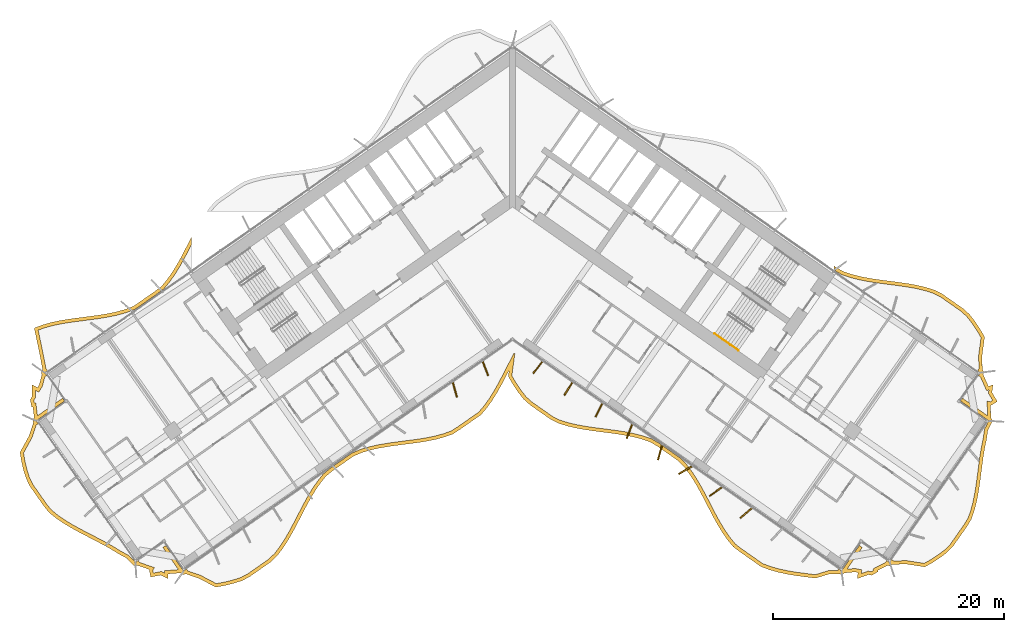
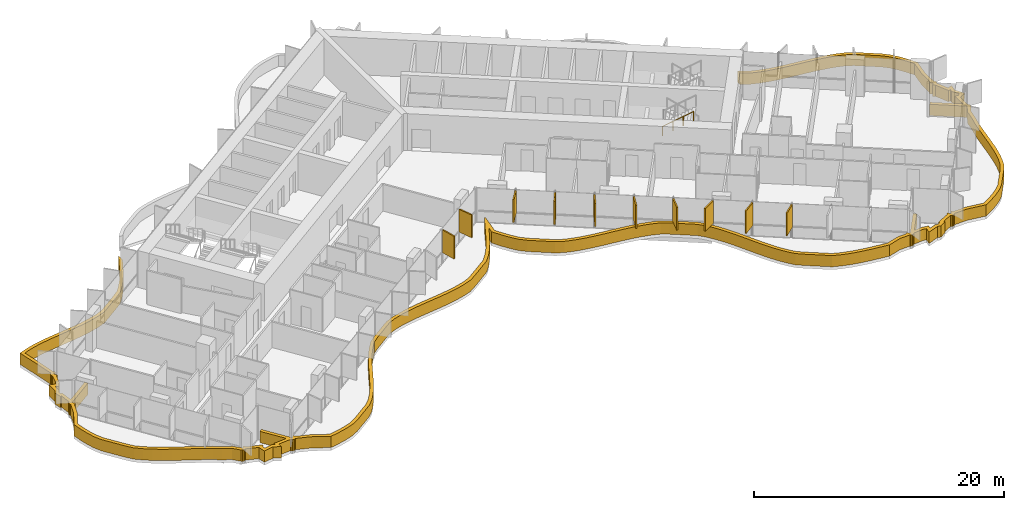
# One storey, part 20 of 23: 11 shading devices, 1 railing.
"""IFC4 building model written with IfcOpenShell, lengths in metres."""

from ifc_helpers import new_model, si_unit, direction, frame, origin, origin_2d, place, context, subcontext, project, spatial, polyline, rectangle, circle, outline, extrude, material, layer, layer_set, type_object, element, save


model = new_model("IFC4")

# Units and contexts
model_context = context("Model", 3, precision=1e-05, world=origin(), true_north=direction((0.0, 1.0)))
body_context = subcontext(model_context, "Body", "Model", "MODEL_VIEW")
ifc_project = project(units=[si_unit("LENGTHUNIT", "METRE"), si_unit("AREAUNIT", "SQUARE_METRE"), si_unit("VOLUMEUNIT", "CUBIC_METRE"), si_unit("PLANEANGLEUNIT", "RADIAN"), si_unit("MASSUNIT", "GRAM", prefix="KILO")], contexts=[model_context])

# Site, building, storey
site_placement = place(None, origin())
site = spatial("IfcSite", under=ifc_project, at=site_placement, CompositionType="ELEMENT")
building_placement = place(site_placement, origin())
building = spatial("IfcBuilding", under=site, at=building_placement, Name="Tel Ilan Convention Tower", CompositionType="ELEMENT")
storey_placement = place(building_placement, frame((0.0, 0.0, 101.300048828125)))
storey = spatial("IfcBuildingStorey", under=building, at=storey_placement, Name="L21", CompositionType="ELEMENT", Elevation=101.300048828125)

# Shading devices
ifc_material_1 = material(Name="Aluminium, bronze anodised", Category="aluminium")
ifc_layer_1 = layer(ifc_material_1, 0.1201171875)
ifc_layer_set_1 = layer_set([ifc_layer_1], Name="FIN BRONZE 1300x120")
shading_device_type_1 = type_object("IfcShadingDeviceType", Name="FIN BRONZE 1300x120", PredefinedType="USERDEFINED", material=ifc_layer_set_1)
for number, where, z_axis, x_axis, name in (
    (1, (-5.004638671875, -17.094482421875, 1.10009765625), (0.0, 0.0, 1.0), (0.268172612768, -0.963370878614, 0.0), "FIN"),
    (2, (-2.35302734375, -15.2529296875, 1.10009765625), (0.0, 0.0, 1.0), (0.360177724803, -0.932883704733, 0.0), "FIN"),
    (3, (2.195556640625, -15.15087890625, 1.10009765625), (0.0, 0.0, 1.0), (-0.612600545196, -0.790392669516, 0.0), "FIN"),
    (4, (4.842041015625, -17.004150390625, 1.10009765625), (0.0, 0.0, 1.0), (-0.533204432798, -0.845986425922, 0.0), "FIN"),
    (5, (7.48876953125, -18.85693359375, 1.10009765625), (0.0, 0.0, 1.0), (-0.448799180206, -0.893632640321, 0.0), "FIN"),
    (6, (10.13818359375, -20.7041015625, 1.10009765625), (0.0, 0.0, 1.0), (-0.360177724803, -0.932883704733, 0.0), "FIN"),
    (7, (12.789794921875, -22.545654296875, 1.10009765625), (0.0, 0.0, 1.0), (-0.268172612768, -0.963370878614, 0.0), "FIN"),
    (8, (14.9931640625, -24.06591796875, 1.10009765625), (0.0, 0.0, 1.0), (-0.866025403784, -0.5, 0.0), "FIN"),
    (9, (17.62548828125, -25.931640625, 1.10009765625), (0.0, 0.0, 1.0), (-0.813552070258, -0.581492071294, 0.0), "FIN"),
    (10, (20.2626953125, -27.79345703125, 1.10009765625), (0.0, 0.0, 1.0), (-0.753435896329, -0.657521368568, 0.0), "FIN"),
):
    element("IfcShadingDevice", number, at=place(storey_placement, frame(where, z_axis=z_axis, x_axis=x_axis)), inside=storey, type_object=shading_device_type_1, Name=name, ObjectType="FIN", PredefinedType="USERDEFINED", context=body_context, shape_type="SweptSolid", body=[
        extrude(rectangle(XDim=1.300048828125, YDim=0.1201171875, at=origin_2d()), origin(), (0.0, 0.0, 1.0), 2.219970703125),
    ])
ifc_material_2 = material(Name="Aluminium, bronze anodised", Category="aluminium")
ifc_layer_2 = layer(ifc_material_2, 0.300048828125)
ifc_layer_set_2 = layer_set([ifc_layer_2], Name="LOUVRE BAND 300x1100")
shading_device_type_2 = type_object("IfcShadingDeviceType", Name="LOUVRE BAND 300x1100", PredefinedType="USERDEFINED", material=ifc_layer_set_2)
shading_device_placement = place(storey_placement, origin())
element("IfcShadingDevice", 11, at=shading_device_placement, inside=storey, type_object=shading_device_type_2, Name="LOUVRE BAND 19.01", ObjectType="LOUVRE", PredefinedType="USERDEFINED", context=body_context, shape_type="SweptSolid", body=[
    extrude(outline(polyline([(-41.95263671875, -21.091796875), (-42.734619140625, -22.51123046875), (-42.607421875, -23.294189453125), (-42.430908203125, -24.04248046875), (-42.208740234375, -24.7587890625), (-41.900146484375, -25.414794921875), (-40.671142578125, -27.170166015625), (-40.220458984375, -27.726806640625), (-39.64404296875, -28.195068359375), (-39.018310546875, -28.62890625), (-38.352294921875, -29.03466796875), (-37.656982421875, -29.419677734375), (-35.51513671875, -30.535888671875), (-34.82470703125, -30.92431640625), (-34.16357421875, -31.33349609375), (-33.458251953125, -31.711669921875), (-32.969482421875, -32.241455078125), (-32.96484375, -32.238037109375), (-32.93603515625, -32.281494140625), (-32.838623046875, -32.346435546875), (-32.723876953125, -32.369384765625), (-32.609130859375, -32.346435546875), (-32.554931640625, -32.310302734375), (-31.51708984375, -32.678955078125), (-31.52783203125, -32.69677734375), (-31.39501953125, -33.33642578125), (-30.5068359375, -33.168701171875), (-29.9072265625, -33.476806640625), (-29.906005859375, -33.06201171875), (-28.786865234375, -32.974853515625), (-28.7578125, -33.01806640625), (-28.660400390625, -33.083251953125), (-28.545654296875, -33.10595703125), (-28.430908203125, -33.083251953125), (-28.376953125, -33.047119140625), (-27.177490234375, -33.46728515625), (-25.748291015625, -34.2158203125), (-24.94677734375, -34.067626953125), (-24.174072265625, -33.878662109375), (-23.436767578125, -33.63916015625), (-22.779296875, -33.28515625), (-20.957275390625, -32.009521484375), (-20.41845703125, -31.486083984375), (-19.947509765625, -30.8662109375), (-19.5107421875, -30.197265625), (-19.1005859375, -29.490234375), (-18.708740234375, -28.75732421875), (-17.939697265625, -27.270263671875), (-17.54296875, -26.544189453125), (-17.125, -25.848388671875), (-16.677734375, -25.1943359375), (-16.19384765625, -24.5927734375), (-15.619140625, -24.12109375), (-13.797119140625, -22.84521484375), (-13.101318359375, -22.546142578125), (-12.351806640625, -22.323974609375), (-11.56884765625, -22.1494140625), (-10.760498046875, -22.01123046875), (-9.935791015625, -21.896484375), (-8.276123046875, -21.681396484375), (-7.4609375, -21.552734375), (-6.66845703125, -21.39208984375), (-5.906494140625, -21.1875), (-5.18212890625, -20.92919921875), (-4.55859375, -20.527099609375), (-2.736572265625, -19.251220703125), (-2.23828125, -18.669921875), (-1.779296875, -18.032958984375), (-1.352294921875, -17.350341796875), (-0.94921875, -16.63330078125), (-0.29345703125, -15.373291015625), (-0.367919921875, -15.928955078125), (0.045166015625, -16.631591796875), (0.487060546875, -17.29296875), (0.964599609375, -17.90380859375), (1.52197265625, -18.400634765625), (3.343994140625, -19.676513671875), (4.02001953125, -20.003662109375), (4.763427734375, -20.234375), (5.54150390625, -20.416015625), (6.34619140625, -20.559326171875), (7.1689453125, -20.67724609375), (8.829345703125, -20.89111328125), (9.647216796875, -21.015625), (10.444091796875, -21.17041015625), (11.211669921875, -21.366943359375), (11.9423828125, -21.61572265625), (12.582275390625, -21.99462890625), (14.404541015625, -23.2705078125), (14.92333984375, -23.822021484375), (15.388427734375, -24.450439453125), (15.8203125, -25.12646484375), (16.2265625, -25.8388671875), (16.61669921875, -26.574462890625), (17.38623046875, -28.060546875), (17.785888671875, -28.782470703125), (18.2080078125, -29.47216796875), (18.660888671875, -30.1181640625), (19.1513671875, -30.71044921875), (19.742431640625, -31.158935546875), (21.564697265625, -32.4345703125), (22.281005859375, -32.7041015625), (23.03662109375, -32.917724609375), (23.824462890625, -33.08544921875), (24.635986328125, -33.218994140625), (26.29443359375, -33.435546875), (27.448974609375, -33.079345703125), (28.376953125, -33.047119140625), (28.430908203125, -33.083251953125), (28.545654296875, -33.10595703125), (28.660400390625, -33.083251953125), (28.7578125, -33.01806640625), (28.786865234375, -32.974853515625), (29.716796875, -32.8935546875), (29.97412109375, -32.9453125), (29.9072265625, -33.476806640625), (30.8779296875, -33.126708984375), (31.183837890625, -33.188232421875), (31.7392578125, -32.8447265625), (31.685546875, -32.75439453125), (32.554931640625, -32.310302734375), (32.609130859375, -32.346435546875), (32.723876953125, -32.369384765625), (32.838623046875, -32.346435546875), (32.93603515625, -32.281494140625), (32.96484375, -32.238037109375), (34.16845703125, -32.208740234375), (35.769775390625, -32.4580078125), (36.4619140625, -32.07080078125), (37.104736328125, -31.64892578125), (37.701904296875, -31.195068359375), (38.212890625, -30.680908203125), (39.44189453125, -28.925537109375), (39.810791015625, -28.311767578125), (40.0537109375, -27.60986328125), (40.247314453125, -26.87353515625), (40.40087890625, -26.109130859375), (40.52490234375, -25.323974609375), (40.841064453125, -22.929443359375), (40.969970703125, -22.147705078125), (41.12841796875, -21.386474609375), (41.24267578125, -20.594482421875), (41.5732421875, -19.9541015625), (41.568603515625, -19.950927734375), (41.604736328125, -19.896728515625), (41.62744140625, -19.781982421875), (41.604736328125, -19.667236328125), (41.53955078125, -19.56982421875), (41.496337890625, -19.541015625), (41.487548828125, -18.439453125), (41.508056640625, -18.443603515625), (42.063720703125, -18.10009765625), (41.602294921875, -17.322509765625), (41.686767578125, -16.65380859375), (41.29638671875, -16.79443359375), (40.831787109375, -15.772705078125), (40.867919921875, -15.71875), (40.890869140625, -15.603759765625), (40.867919921875, -15.489013671875), (40.802978515625, -15.3916015625), (40.759521484375, -15.36279296875), (40.743408203125, -14.096435546875), (40.96044921875, -12.496826171875), (40.548828125, -11.795654296875), (40.108154296875, -11.13525390625), (39.63232421875, -10.525390625), (39.078125, -10.02783203125), (37.260498046875, -8.755126953125), (36.5888671875, -8.4248046875), (35.84814453125, -8.193115234375), (35.072998046875, -8.0107421875), (34.27099609375, -7.86669921875), (33.450927734375, -7.748779296875), (31.79443359375, -7.535400390625), (30.97802734375, -7.412109375), (30.181884765625, -7.259521484375), (29.414794921875, -7.0654296875), (28.68408203125, -6.820068359375), (28.040283203125, -6.44970703125), (27.874755859375, -6.333740234375), (27.874755859375, -6.70068359375), (28.560302734375, -7.094970703125), (29.330322265625, -7.353515625), (30.116943359375, -7.552490234375), (30.92724609375, -7.707763671875), (31.752685546875, -7.83251953125), (33.41064453125, -8.0458984375), (34.22314453125, -8.162841796875), (35.01220703125, -8.3046875), (35.76904296875, -8.482666015625), (36.477294921875, -8.7041015625), (37.107421875, -9.01416015625), (38.89111328125, -10.26318359375), (39.412109375, -10.73095703125), (39.86474609375, -11.31103515625), (40.29443359375, -11.954833984375), (40.649169921875, -12.559326171875), (40.443115234375, -14.07861328125), (40.46142578125, -15.265625), (40.344970703125, -15.431640625), (40.5908203125, -15.603759765625), (40.41943359375, -15.85009765625), (40.596923828125, -15.974365234375), (41.13720703125, -17.1708984375), (41.327880859375, -17.10205078125), (41.291748046875, -17.38720703125), (41.6552734375, -17.999755859375), (41.451171875, -18.1259765625), (41.18359375, -18.072265625), (41.197265625, -19.324462890625), (39.0419921875, -17.8154296875), (38.8701171875, -18.061279296875), (41.327392578125, -19.781982421875), (41.155517578125, -20.02783203125), (41.186279296875, -20.04931640625), (40.952880859375, -20.501708984375), (40.832763671875, -21.33447265625), (40.675048828125, -22.0927734375), (40.54443359375, -22.884521484375), (40.22802734375, -25.28076171875), (40.10546875, -26.05615234375), (39.955078125, -26.8056640625), (39.766357421875, -27.5224609375), (39.53759765625, -28.18408203125), (39.190185546875, -28.761962890625), (37.98193359375, -30.48779296875), (37.50390625, -30.96875), (36.931640625, -31.40380859375), (36.30615234375, -31.814208984375), (35.713623046875, -32.145751953125), (34.1875, -31.908203125), (33.060546875, -31.938720703125), (32.89599609375, -31.823486328125), (32.723876953125, -32.0693359375), (32.4775390625, -31.89794921875), (32.34912109375, -32.08154296875), (31.26416015625, -32.6318359375), (31.3310546875, -32.74462890625), (31.126708984375, -32.870849609375), (30.854736328125, -32.816162109375), (30.26611328125, -33.028564453125), (30.306884765625, -32.7060546875), (29.73291015625, -32.5908203125), (29.016845703125, -32.65625), (30.340087890625, -30.766357421875), (30.09423828125, -30.59423828125), (28.545654296875, -32.805908203125), (28.2998046875, -32.634033203125), (28.214111328125, -32.75634765625), (27.3994140625, -32.78076171875), (26.267822265625, -33.1298828125), (24.6806640625, -32.922119140625), (23.8798828125, -32.79052734375), (23.10888671875, -32.626220703125), (22.374755859375, -32.4189453125), (21.70556640625, -32.167236328125), (19.919189453125, -30.91650390625), (19.3603515625, -30.492431640625), (18.899658203125, -29.936279296875), (18.459228515625, -29.3076171875), (18.04541015625, -28.63134765625), (17.650634765625, -27.91845703125), (16.882568359375, -26.435791015625), (16.489501953125, -25.694091796875), (16.0771484375, -24.97119140625), (15.6357421875, -24.2802734375), (15.154052734375, -23.629150390625), (14.601806640625, -23.04248046875), (12.7451171875, -21.742431640625), (12.068603515625, -21.341796875), (11.29736328125, -21.0791015625), (10.510009765625, -20.87744140625), (9.698486328125, -20.719970703125), (8.871337890625, -20.593994140625), (7.209228515625, -20.3798828125), (6.393798828125, -20.26318359375), (5.60205078125, -20.1220703125), (4.84228515625, -19.94482421875), (4.13037109375, -19.723876953125), (3.496337890625, -19.4169921875), (1.70849609375, -18.1650390625), (1.184326171875, -17.697998046875), (0.73046875, -17.1171875), (0.299560546875, -16.471923828125), (-0.056884765625, -15.8662109375), (0.199462890625, -13.955810546875), (0.11083984375, -13.927978515625), (-0.8271484375, -15.756591796875), (-1.212890625, -16.489990234375), (-1.6103515625, -17.197265625), (-2.0283203125, -17.86572265625), (-2.474365234375, -18.484375), (-2.939697265625, -19.027099609375), (-4.72607421875, -20.278076171875), (-5.315673828125, -20.658203125), (-5.995849609375, -20.90087890625), (-6.737060546875, -21.099853515625), (-7.51416015625, -21.25732421875), (-8.319091796875, -21.384521484375), (-9.97509765625, -21.59912109375), (-10.806396484375, -21.71484375), (-11.626708984375, -21.85498046875), (-12.427001953125, -22.033447265625), (-13.20361328125, -22.263427734375), (-13.94384765625, -22.581787109375), (-15.800537109375, -23.8818359375), (-16.408203125, -24.380615234375), (-16.9189453125, -25.015380859375), (-17.377685546875, -25.686279296875), (-17.80322265625, -26.39501953125), (-18.20458984375, -27.129150390625), (-18.974365234375, -28.617919921875), (-19.36279296875, -29.34423828125), (-19.76611328125, -30.0400390625), (-20.192626953125, -30.693359375), (-20.643798828125, -31.28662109375), (-21.14892578125, -31.777587890625), (-22.93701171875, -33.029296875), (-23.55517578125, -33.362060546875), (-24.256103515625, -33.590087890625), (-25.009765625, -33.7744140625), (-25.700927734375, -33.90185546875), (-27.057861328125, -33.19140625), (-28.18359375, -32.80029296875), (-28.2998046875, -32.634033203125), (-28.545654296875, -32.805908203125), (-30.09423828125, -30.59423828125), (-30.340087890625, -30.766357421875), (-28.991455078125, -32.6923828125), (-30.205078125, -32.78369140625), (-30.20556640625, -32.986083984375), (-30.461181640625, -32.85498046875), (-31.161376953125, -32.98681640625), (-31.2099609375, -32.751708984375), (-31.068115234375, -32.518798828125), (-32.361328125, -32.06396484375), (-32.4775390625, -31.89794921875), (-32.723876953125, -32.0693359375), (-32.89599609375, -31.823486328125), (-32.927001953125, -31.84521484375), (-33.27197265625, -31.47119140625), (-34.013427734375, -31.073486328125), (-34.672119140625, -30.666015625), (-35.37158203125, -30.272216796875), (-37.514892578125, -29.155517578125), (-38.20166015625, -28.775146484375), (-38.8544921875, -28.377197265625), (-39.463623046875, -27.954833984375), (-40.007080078125, -27.513671875), (-40.431396484375, -26.989501953125), (-41.6396484375, -25.263916015625), (-41.92822265625, -24.650146484375), (-42.141357421875, -23.963623046875), (-42.31298828125, -23.235595703125), (-42.421875, -22.565185546875), (-41.6767578125, -21.212646484375), (-41.320068359375, -20.14306640625), (-41.155517578125, -20.02783203125), (-41.327392578125, -19.781982421875), (-38.8701171875, -18.061279296875), (-39.0419921875, -17.8154296875), (-41.220947265625, -19.34130859375), (-41.356689453125, -18.2177734375), (-41.485595703125, -18.2421875), (-41.534423828125, -18.007080078125), (-41.39013671875, -17.770263671875), (-41.38818359375, -17.14453125), (-41.09912109375, -17.29296875), (-40.794677734375, -16.793212890625), (-40.574462890625, -15.958740234375), (-40.41943359375, -15.85009765625), (-40.5908203125, -15.603759765625), (-40.344970703125, -15.431640625), (-40.48046875, -15.238037109375), (-40.81787109375, -13.5107421875), (-41.15283203125, -11.91748046875), (-40.691162109375, -11.74365234375), (-39.958740234375, -11.537353515625), (-39.189208984375, -11.373779296875), (-38.390625, -11.24267578125), (-35.911865234375, -10.914306640625), (-35.091064453125, -10.780029296875), (-34.288330078125, -10.610107421875), (-33.512451171875, -10.392333984375), (-32.749267578125, -10.1083984375), (-30.893798828125, -8.81396484375), (-30.2685546875, -8.34814453125), (-29.747314453125, -7.72314453125), (-29.28173828125, -7.063232421875), (-28.85107421875, -6.363037109375), (-28.4462890625, -5.63525390625), (-27.874755859375, -4.5361328125), (-27.874755859375, -3.88330078125), (-28.71044921875, -5.49267578125), (-29.10986328125, -6.211669921875), (-29.5322265625, -6.89794921875), (-29.9853515625, -7.540283203125), (-30.47607421875, -8.128662109375), (-31.069580078125, -8.57080078125), (-32.88916015625, -9.84033203125), (-33.60546875, -10.10693359375), (-34.360107421875, -10.318603515625), (-35.146240234375, -10.485107421875), (-35.956298828125, -10.61767578125), (-38.43505859375, -10.946044921875), (-39.244873046875, -11.078857421875), (-40.03076171875, -11.245849609375), (-40.784912109375, -11.45849609375), (-41.499267578125, -11.727294921875), (-41.11181640625, -13.5703125), (-40.759521484375, -15.36279296875), (-40.802978515625, -15.3916015625), (-40.867919921875, -15.489013671875), (-40.890869140625, -15.603759765625), (-40.867919921875, -15.71875), (-40.831787109375, -15.772705078125), (-41.073486328125, -16.67431640625), (-41.210205078125, -16.898681640625), (-41.686767578125, -16.65380859375), (-41.68994140625, -17.685546875), (-41.852294921875, -17.9521484375), (-41.719482421875, -18.591552734375), (-41.6162109375, -18.572021484375), (-41.496337890625, -19.541015625), (-41.53955078125, -19.56982421875), (-41.604736328125, -19.667236328125), (-41.62744140625, -19.781982421875), (-41.604736328125, -19.896728515625), (-41.568603515625, -19.950927734375), (-41.95263671875, -21.091796875)])), origin(), (0.0, 0.0, 1.0), 1.099853515625),
])

# Railing
ifc_material_3 = material(Name="Stainless Steel Grade 316", Category="steel")
railing_type = type_object("IfcRailingType", Name="Stainless Steel Stair Handrail 900 mm", PredefinedType="HANDRAIL", material=ifc_material_3)
railing_placement = place(storey_placement, frame((17.542236328125, -12.22216796875, 1.97998046875)))
element("IfcRailing", 12, at=railing_placement, inside=storey, type_object=railing_type, Name="L21 S4 stair handrail 2", PredefinedType="HANDRAIL", context=body_context, shape_type="SweptSolid", body=[
    extrude(circle(Radius=0.02392578125, at=origin_2d()), frame((0.0, 0.0, 0.8759765625), z_axis=(0.68907047291, -0.482471578903, 0.540743061828), x_axis=(0.573559875649, 0.819163639968, 0.0)), (0.0, 0.0, 1.0), 2.99560546875),
    extrude(circle(Radius=0.02099609375, at=origin_2d()), origin(), (0.0, 0.0, 1.0), 0.851806640625),
    extrude(circle(Radius=0.02099609375, at=origin_2d()), frame((0.68798828125, -0.481689453125, 0.5400390625)), (0.0, 0.0, 1.0), 0.851806640625),
    extrude(circle(Radius=0.02099609375, at=origin_2d()), frame((1.376220703125, -0.963623046875, 1.079833984375)), (0.0, 0.0, 1.0), 0.851806640625),
    extrude(circle(Radius=0.02099609375, at=origin_2d()), frame((2.064208984375, -1.4453125, 1.619873046875)), (0.0, 0.0, 1.0), 0.851806640625),
])

save(model, "model.ifc")
